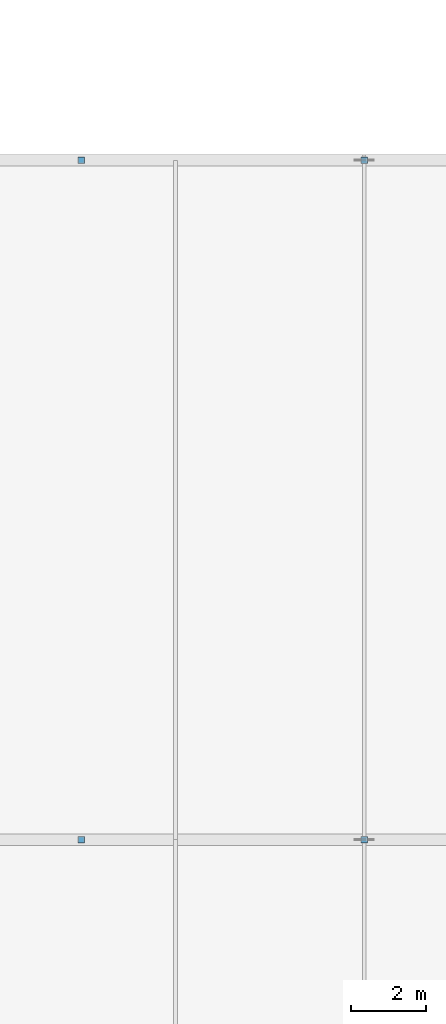
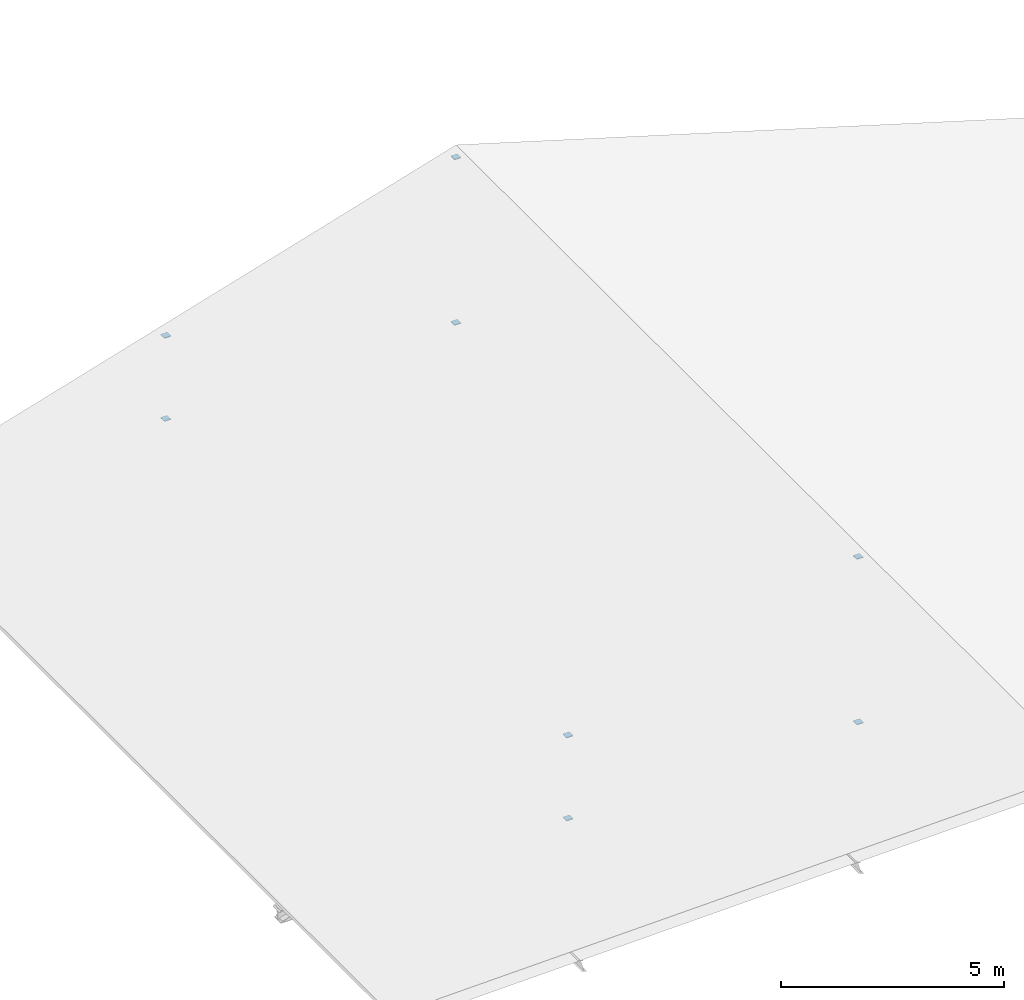
# One storey, part 200 of 204: 8 discrete accessories.
"""IFC4 building model written with IfcOpenShell, lengths in metres."""

import ifcopenshell
import ifcopenshell.guid

model = None  # the IFC model being written
_history = None  # IfcOwnerHistory: only IFC2X3 demands one
_inside = {}  # id of a spatial element -> (the spatial element, [elements in it])
_under = {}  # id of a project, library or spatial element -> (it, [spatial elements below it])
_declared = {}  # id of a project -> (the project, [libraries it declares])
_typed = {}  # id of a type object -> (the type object, [elements of that type])
_made_of = {}  # id of a material, layer set ... -> (it, [elements and type objects made of it])


def new_model(schema):
    """Start an empty IFC model of exactly this schema.

    Asked for "IFC4X3", IfcOpenShell would pick the latest addendum, in which some entities
    have other attributes; the version numbers below select the first issue.
    IFC2X3 requires an IfcOwnerHistory on every rooted entity: one is made here for all.
    """
    global model, _history
    if schema == "IFC4X3":
        model = ifcopenshell.file(schema_version=(4, 3, 0, 0))
    else:
        model = ifcopenshell.file(schema=schema)
    _inside.clear()
    _under.clear()
    _declared.clear()
    _typed.clear()
    _made_of.clear()
    _history = None
    if model.schema == "IFC2X3":
        org = make("IfcOrganization", Name="unknown")
        user = make(
            "IfcPersonAndOrganization",
            ThePerson=make("IfcPerson", FamilyName="unknown"),
            TheOrganization=org,
        )
        app = make(
            "IfcApplication",
            ApplicationDeveloper=org,
            Version="unknown",
            ApplicationFullName="unknown",
            ApplicationIdentifier="unknown",
        )
        _history = make(
            "IfcOwnerHistory",
            OwningUser=user,
            OwningApplication=app,
            ChangeAction="ADDED",
            CreationDate=0,
        )
    return model


def make(cls, **values):
    """One entity of the class cls with the attributes given. An attribute that is None is left unset."""
    return model.create_entity(
        cls, **{name: value for name, value in values.items() if value is not None}
    )


def rooted(cls, **values):
    """An entity with a GlobalId (a new one), such as an element, a storey or a relation."""
    return make(cls, GlobalId=ifcopenshell.guid.new(), OwnerHistory=_history, **values)


def si_unit(unit_type, name, prefix=None):
    """IfcSIUnit, for example si_unit("LENGTHUNIT", "METRE", prefix="MILLI")."""
    return make("IfcSIUnit", UnitType=unit_type, Prefix=prefix, Name=name)


def assignment(units):
    """IfcUnitAssignment: the units of a project."""
    return None if units is None else make("IfcUnitAssignment", Units=units)


def point(xyz):
    """IfcCartesianPoint."""
    return None if xyz is None else make("IfcCartesianPoint", Coordinates=xyz)


def direction(xyz):
    """IfcDirection."""
    return None if xyz is None else make("IfcDirection", DirectionRatios=xyz)


def frame(location, z_axis=None, x_axis=None):
    """IfcAxis2Placement3D, a coordinate frame: its origin and axes. An axis left out is left unset."""
    return make(
        "IfcAxis2Placement3D",
        Location=point(location),
        Axis=direction(z_axis),
        RefDirection=direction(x_axis),
    )


def frame_2d(location, x_axis=None):
    """IfcAxis2Placement2D, a coordinate frame in the plane: its origin and x axis."""
    return make(
        "IfcAxis2Placement2D", Location=point(location), RefDirection=direction(x_axis)
    )


def origin():
    """The frame at (0, 0, 0) with its axes left unset."""
    return frame((0.0, 0.0, 0.0))


def origin_2d():
    """The frame at (0, 0) in the plane with its x axis left unset."""
    return frame_2d((0.0, 0.0))


def place(relative_to, where):
    """IfcLocalPlacement: puts the frame where relative to a parent placement (None: the world)."""
    return make(
        "IfcLocalPlacement", PlacementRelTo=relative_to, RelativePlacement=where
    )


def context(
    kind, dimensions, precision=None, world=None, true_north=None, identifier=None
):
    """IfcGeometricRepresentationContext, for example the 3D "Model" context."""
    return make(
        "IfcGeometricRepresentationContext",
        ContextIdentifier=identifier,
        ContextType=kind,
        CoordinateSpaceDimension=dimensions,
        Precision=precision,
        WorldCoordinateSystem=world,
        TrueNorth=true_north,
    )


def subcontext(parent, identifier, kind, view, scale=None):
    """IfcGeometricRepresentationSubContext, for example "Body" below "Model"."""
    return make(
        "IfcGeometricRepresentationSubContext",
        ContextIdentifier=identifier,
        ContextType=kind,
        ParentContext=parent,
        TargetScale=scale,
        TargetView=view,
    )


def project(units=None, contexts=None):
    """IfcProject with its units and contexts."""
    return rooted(
        "IfcProject",
        Name="project",
        RepresentationContexts=contexts,
        UnitsInContext=assignment(units),
    )


def spatial(cls, under=None, at=None, **own):
    """A site, building, storey or space (cls), placed at a placement, below another one or the project."""
    s = rooted(cls, ObjectPlacement=at, **own)
    if under is not None:
        _under.setdefault(under.id(), (under, []))[1].append(s)
    return s


def profile(cls, at=None, kind="AREA", **sizes):
    """A parametric profile (cls). Its sizes go by their IFC names, for example OverallWidth=200.0."""
    return make(cls, ProfileType=kind, Position=at, **sizes)


def rectangle(**sizes):
    """IfcRectangleProfileDef."""
    return profile("IfcRectangleProfileDef", **sizes)


def extrude(swept, where, along, depth):
    """IfcExtrudedAreaSolid: the profile swept, set in the frame where, extruded along a direction by depth."""
    return make(
        "IfcExtrudedAreaSolid",
        SweptArea=swept,
        Position=where,
        ExtrudedDirection=direction(along),
        Depth=depth,
    )


def shape(context_of_items, identifier, shape_type, items):
    """IfcShapeRepresentation: the items that make up one representation, for example the "Body"."""
    return make(
        "IfcShapeRepresentation",
        ContextOfItems=context_of_items,
        RepresentationIdentifier=identifier,
        RepresentationType=shape_type,
        Items=items,
    )


def material(Name=None, Category=None):
    """IfcMaterial."""
    return make("IfcMaterial", Name=Name, Category=Category)


def layer(
    of_material, thickness, ventilated=None, Name=None, Category=None, Priority=None
):
    """IfcMaterialLayer: one layer of a wall or slab, of a material (None: an air gap)."""
    return make(
        "IfcMaterialLayer",
        Material=of_material,
        LayerThickness=thickness,
        IsVentilated=ventilated,
        Name=Name,
        Category=Category,
        Priority=Priority,
    )


def layer_set(layers, Name=None):
    """IfcMaterialLayerSet."""
    return make("IfcMaterialLayerSet", MaterialLayers=layers, LayerSetName=Name)


def made_of(thing, what):
    """Note that an element or type object is made of a material, layer set ...; save() writes the relation."""
    if what is not None:
        _made_of.setdefault(what.id(), (what, []))[1].append(thing)
    return thing


def type_object(cls, material=None, **own):
    """A type object (cls), such as IfcWallType, which elements share."""
    return made_of(rooted(cls, **own), material)


def element(
    cls,
    number,
    at=None,
    inside=None,
    cuts=None,
    type_object=None,
    material=None,
    context=None,
    identifier="Body",
    shape_type=None,
    held_by="IfcProductDefinitionShape",
    body=None,
    shapes=None,
    **own,
):
    """One element of the class cls, such as IfcWall. Its Tag is "e" and its number.

    at: its placement. inside: the storey or other place that contains it. cuts: it is an
    opening in that element (IfcRelVoidsElement). A single representation is given by context,
    identifier, shape_type and body (its items); several are given by shapes. held_by: the class
    of the entity that holds the representations. save() writes the other relations.
    """
    e = rooted(cls, Tag="e%d" % number, ObjectPlacement=at, **own)
    if body is not None:
        shapes = [shape(context, identifier, shape_type, body)]
    if shapes is not None:
        e.Representation = make(held_by, Representations=shapes)
    if inside is not None:
        _inside.setdefault(inside.id(), (inside, []))[1].append(e)
    if cuts is not None:
        rooted(
            "IfcRelVoidsElement", RelatingBuildingElement=cuts, RelatedOpeningElement=e
        )
    if type_object is not None:
        _typed.setdefault(type_object.id(), (type_object, []))[1].append(e)
    return made_of(e, material)


def aggregate(whole, parts):
    """IfcRelAggregates: a whole, such as a stair, and the parts it consists of."""
    return rooted("IfcRelAggregates", RelatingObject=whole, RelatedObjects=parts)


def save(model, path):
    """Write the relations noted so far, then the file.

    IfcRelAggregates (storeys below a building ...), IfcRelContainedInSpatialStructure (elements
    in a storey), IfcRelDefinesByType, IfcRelAssociatesMaterial and IfcRelDeclares: one each for
    every whole, place, type object, material and project.
    """
    for whole, parts in _under.values():
        aggregate(whole, parts)
    for where, things in _inside.values():
        rooted(
            "IfcRelContainedInSpatialStructure",
            RelatedElements=things,
            RelatingStructure=where,
        )
    for kind, things in _typed.values():
        rooted("IfcRelDefinesByType", RelatedObjects=things, RelatingType=kind)
    for what, things in _made_of.values():
        rooted("IfcRelAssociatesMaterial", RelatedObjects=things, RelatingMaterial=what)
    for by, libraries in _declared.values():
        rooted("IfcRelDeclares", RelatingContext=by, RelatedDefinitions=libraries)
    model.write(path)


model = new_model("IFC4")

# Units and contexts
model_context = context("Model", 3, precision=1e-05, world=origin(), true_north=direction((0.0, 1.0)))
body_context = subcontext(model_context, "Body", "Model", "MODEL_VIEW")
ifc_project = project(units=[si_unit("LENGTHUNIT", "METRE"), si_unit("AREAUNIT", "SQUARE_METRE"), si_unit("VOLUMEUNIT", "CUBIC_METRE"), si_unit("PLANEANGLEUNIT", "RADIAN"), si_unit("MASSUNIT", "GRAM", prefix="KILO")], contexts=[model_context])

# Site, building, storey
site_placement = place(None, origin())
site = spatial("IfcSite", under=ifc_project, at=site_placement, CompositionType="ELEMENT")
building_placement = place(site_placement, origin())
building = spatial("IfcBuilding", under=site, at=building_placement, Name="Zilviju Railside Exhibition Hall", CompositionType="ELEMENT")
storey_placement = place(building_placement, frame((0.0, 0.0, 21.0)))
storey = spatial("IfcBuildingStorey", under=building, at=storey_placement, Name="RF", CompositionType="ELEMENT", Elevation=21.0)

# Discrete accessories
ifc_material = material(Name="Steel S355ML", Category="steel")
ifc_layer = layer(ifc_material, 0.02001953125)
ifc_layer_set = layer_set([ifc_layer], Name="Steel S355ML")
discrete_accessory_type = type_object("IfcDiscreteAccessoryType", Name="ACC-CAP-20", PredefinedType="BRACKET", material=ifc_layer_set)
for number, where, z_axis, x_axis, name in (
    (1, (63.0, 102.0, -8.419921875), (0.0, 0.0, 1.0), (1.0, 0.0, 0.0), "SHS Post End Seal Cap BOT 37"),
    (2, (63.0, 102.0, -3.89990234375), (0.0, 0.0, 1.0), (1.0, 0.0, 0.0), "SHS Post End Seal Cap TOP 38"),
    (3, (55.5, 102.0, -8.419921875), (0.0, 0.0, 1.0), (1.0, 0.0, 0.0), "SHS Post End Seal Cap BOT 39"),
    (4, (55.5, 102.0, -6.14990234375), (0.0, 0.0, 1.0), (1.0, 0.0, 0.0), "SHS Post End Seal Cap TOP 40"),
    (5, (63.0, 120.0, -8.419921875), (0.0, 0.0, 1.0), (1.0, 0.0, 0.0), "SHS Post End Seal Cap BOT 43"),
    (6, (63.0, 120.0, -3.89990234375), (0.0, 0.0, 1.0), (1.0, 0.0, 0.0), "SHS Post End Seal Cap TOP 44"),
    (7, (55.5, 120.0, -8.419921875), (0.0, 0.0, 1.0), (1.0, 0.0, 0.0), "SHS Post End Seal Cap BOT 45"),
    (8, (55.5, 120.0, -6.14990234375), (0.0, 0.0, 1.0), (1.0, 0.0, 0.0), "SHS Post End Seal Cap TOP 46"),
):
    element("IfcDiscreteAccessory", number, at=place(storey_placement, frame(where, z_axis=z_axis, x_axis=x_axis)), inside=storey, type_object=discrete_accessory_type, Name=name, PredefinedType="BRACKET", context=body_context, shape_type="SweptSolid", body=[
        extrude(rectangle(XDim=0.169921875, YDim=0.169921875, at=origin_2d()), origin(), (0.0, 0.0, 1.0), 0.02001953125),
    ])

save(model, "model.ifc")
